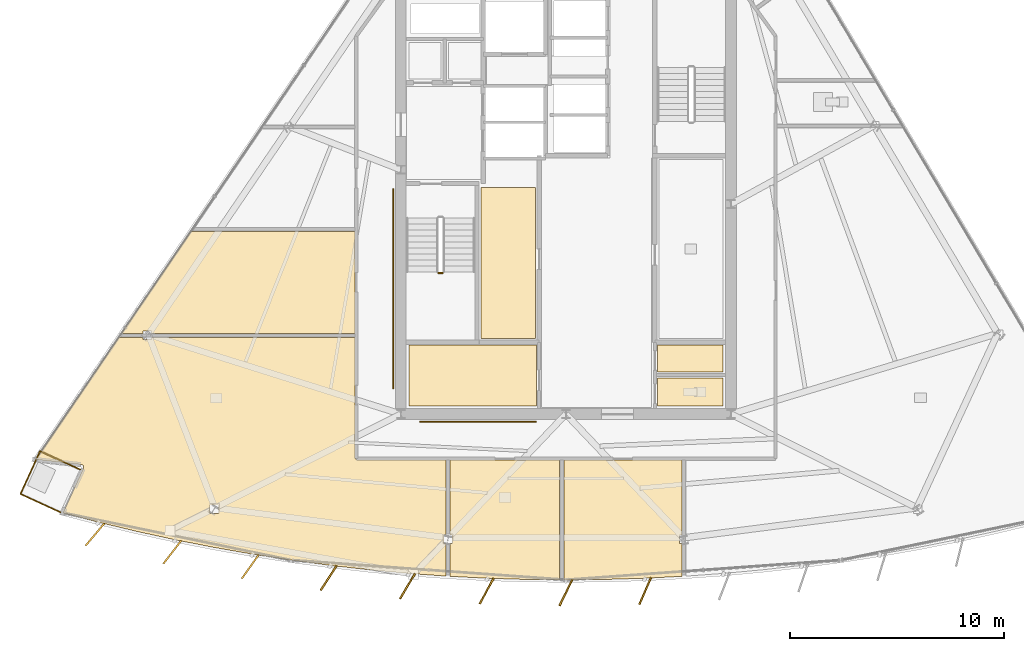
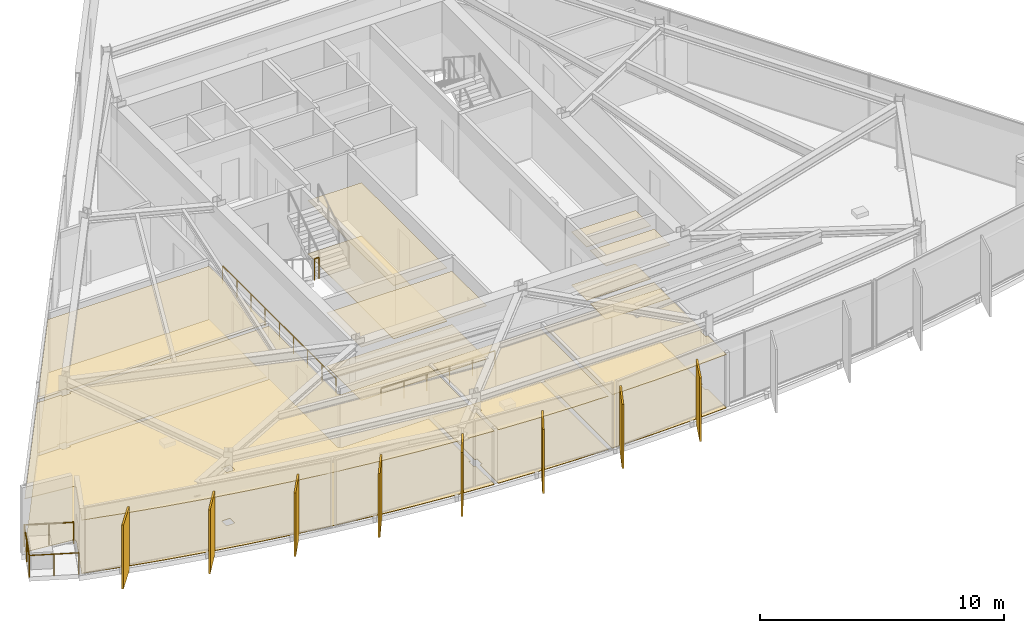
# One storey, part 9 of 13: 16 coverings, 8 shading devices, 6 railings.
"""IFC4 building model written with IfcOpenShell, lengths in metres."""

import ifcopenshell
import ifcopenshell.guid

model = None  # the IFC model being written
_history = None  # IfcOwnerHistory: only IFC2X3 demands one
_inside = {}  # id of a spatial element -> (the spatial element, [elements in it])
_under = {}  # id of a project, library or spatial element -> (it, [spatial elements below it])
_declared = {}  # id of a project -> (the project, [libraries it declares])
_typed = {}  # id of a type object -> (the type object, [elements of that type])
_made_of = {}  # id of a material, layer set ... -> (it, [elements and type objects made of it])


def new_model(schema):
    """Start an empty IFC model of exactly this schema.

    Asked for "IFC4X3", IfcOpenShell would pick the latest addendum, in which some entities
    have other attributes; the version numbers below select the first issue.
    IFC2X3 requires an IfcOwnerHistory on every rooted entity: one is made here for all.
    """
    global model, _history
    if schema == "IFC4X3":
        model = ifcopenshell.file(schema_version=(4, 3, 0, 0))
    else:
        model = ifcopenshell.file(schema=schema)
    _inside.clear()
    _under.clear()
    _declared.clear()
    _typed.clear()
    _made_of.clear()
    _history = None
    if model.schema == "IFC2X3":
        org = make("IfcOrganization", Name="unknown")
        user = make(
            "IfcPersonAndOrganization",
            ThePerson=make("IfcPerson", FamilyName="unknown"),
            TheOrganization=org,
        )
        app = make(
            "IfcApplication",
            ApplicationDeveloper=org,
            Version="unknown",
            ApplicationFullName="unknown",
            ApplicationIdentifier="unknown",
        )
        _history = make(
            "IfcOwnerHistory",
            OwningUser=user,
            OwningApplication=app,
            ChangeAction="ADDED",
            CreationDate=0,
        )
    return model


def make(cls, **values):
    """One entity of the class cls with the attributes given. An attribute that is None is left unset."""
    return model.create_entity(
        cls, **{name: value for name, value in values.items() if value is not None}
    )


def rooted(cls, **values):
    """An entity with a GlobalId (a new one), such as an element, a storey or a relation."""
    return make(cls, GlobalId=ifcopenshell.guid.new(), OwnerHistory=_history, **values)


def si_unit(unit_type, name, prefix=None):
    """IfcSIUnit, for example si_unit("LENGTHUNIT", "METRE", prefix="MILLI")."""
    return make("IfcSIUnit", UnitType=unit_type, Prefix=prefix, Name=name)


def assignment(units):
    """IfcUnitAssignment: the units of a project."""
    return None if units is None else make("IfcUnitAssignment", Units=units)


def point(xyz):
    """IfcCartesianPoint."""
    return None if xyz is None else make("IfcCartesianPoint", Coordinates=xyz)


def direction(xyz):
    """IfcDirection."""
    return None if xyz is None else make("IfcDirection", DirectionRatios=xyz)


def frame(location, z_axis=None, x_axis=None):
    """IfcAxis2Placement3D, a coordinate frame: its origin and axes. An axis left out is left unset."""
    return make(
        "IfcAxis2Placement3D",
        Location=point(location),
        Axis=direction(z_axis),
        RefDirection=direction(x_axis),
    )


def frame_2d(location, x_axis=None):
    """IfcAxis2Placement2D, a coordinate frame in the plane: its origin and x axis."""
    return make(
        "IfcAxis2Placement2D", Location=point(location), RefDirection=direction(x_axis)
    )


def origin():
    """The frame at (0, 0, 0) with its axes left unset."""
    return frame((0.0, 0.0, 0.0))


def origin_2d():
    """The frame at (0, 0) in the plane with its x axis left unset."""
    return frame_2d((0.0, 0.0))


def place(relative_to, where):
    """IfcLocalPlacement: puts the frame where relative to a parent placement (None: the world)."""
    return make(
        "IfcLocalPlacement", PlacementRelTo=relative_to, RelativePlacement=where
    )


def context(
    kind, dimensions, precision=None, world=None, true_north=None, identifier=None
):
    """IfcGeometricRepresentationContext, for example the 3D "Model" context."""
    return make(
        "IfcGeometricRepresentationContext",
        ContextIdentifier=identifier,
        ContextType=kind,
        CoordinateSpaceDimension=dimensions,
        Precision=precision,
        WorldCoordinateSystem=world,
        TrueNorth=true_north,
    )


def subcontext(parent, identifier, kind, view, scale=None):
    """IfcGeometricRepresentationSubContext, for example "Body" below "Model"."""
    return make(
        "IfcGeometricRepresentationSubContext",
        ContextIdentifier=identifier,
        ContextType=kind,
        ParentContext=parent,
        TargetScale=scale,
        TargetView=view,
    )


def project(units=None, contexts=None):
    """IfcProject with its units and contexts."""
    return rooted(
        "IfcProject",
        Name="project",
        RepresentationContexts=contexts,
        UnitsInContext=assignment(units),
    )


def spatial(cls, under=None, at=None, **own):
    """A site, building, storey or space (cls), placed at a placement, below another one or the project."""
    s = rooted(cls, ObjectPlacement=at, **own)
    if under is not None:
        _under.setdefault(under.id(), (under, []))[1].append(s)
    return s


def polyline(points):
    """IfcPolyline through the points."""
    return make("IfcPolyline", Points=[point(p) for p in points])


def profile(cls, at=None, kind="AREA", **sizes):
    """A parametric profile (cls). Its sizes go by their IFC names, for example OverallWidth=200.0."""
    return make(cls, ProfileType=kind, Position=at, **sizes)


def rectangle(**sizes):
    """IfcRectangleProfileDef."""
    return profile("IfcRectangleProfileDef", **sizes)


def circle(**sizes):
    """IfcCircleProfileDef."""
    return profile("IfcCircleProfileDef", **sizes)


def outline(outer, holes=None, kind="AREA"):
    """IfcArbitraryClosedProfileDef: a profile drawn as a closed curve; with holes, ...WithVoids."""
    if holes is None:
        return make("IfcArbitraryClosedProfileDef", ProfileType=kind, OuterCurve=outer)
    return make(
        "IfcArbitraryProfileDefWithVoids",
        ProfileType=kind,
        OuterCurve=outer,
        InnerCurves=holes,
    )


def extrude(swept, where, along, depth):
    """IfcExtrudedAreaSolid: the profile swept, set in the frame where, extruded along a direction by depth."""
    return make(
        "IfcExtrudedAreaSolid",
        SweptArea=swept,
        Position=where,
        ExtrudedDirection=direction(along),
        Depth=depth,
    )


def shape(context_of_items, identifier, shape_type, items):
    """IfcShapeRepresentation: the items that make up one representation, for example the "Body"."""
    return make(
        "IfcShapeRepresentation",
        ContextOfItems=context_of_items,
        RepresentationIdentifier=identifier,
        RepresentationType=shape_type,
        Items=items,
    )


def material(Name=None, Category=None):
    """IfcMaterial."""
    return make("IfcMaterial", Name=Name, Category=Category)


def layer(
    of_material, thickness, ventilated=None, Name=None, Category=None, Priority=None
):
    """IfcMaterialLayer: one layer of a wall or slab, of a material (None: an air gap)."""
    return make(
        "IfcMaterialLayer",
        Material=of_material,
        LayerThickness=thickness,
        IsVentilated=ventilated,
        Name=Name,
        Category=Category,
        Priority=Priority,
    )


def layer_set(layers, Name=None):
    """IfcMaterialLayerSet."""
    return make("IfcMaterialLayerSet", MaterialLayers=layers, LayerSetName=Name)


def made_of(thing, what):
    """Note that an element or type object is made of a material, layer set ...; save() writes the relation."""
    if what is not None:
        _made_of.setdefault(what.id(), (what, []))[1].append(thing)
    return thing


def type_object(cls, material=None, **own):
    """A type object (cls), such as IfcWallType, which elements share."""
    return made_of(rooted(cls, **own), material)


def element(
    cls,
    number,
    at=None,
    inside=None,
    cuts=None,
    type_object=None,
    material=None,
    context=None,
    identifier="Body",
    shape_type=None,
    held_by="IfcProductDefinitionShape",
    body=None,
    shapes=None,
    **own,
):
    """One element of the class cls, such as IfcWall. Its Tag is "e" and its number.

    at: its placement. inside: the storey or other place that contains it. cuts: it is an
    opening in that element (IfcRelVoidsElement). A single representation is given by context,
    identifier, shape_type and body (its items); several are given by shapes. held_by: the class
    of the entity that holds the representations. save() writes the other relations.
    """
    e = rooted(cls, Tag="e%d" % number, ObjectPlacement=at, **own)
    if body is not None:
        shapes = [shape(context, identifier, shape_type, body)]
    if shapes is not None:
        e.Representation = make(held_by, Representations=shapes)
    if inside is not None:
        _inside.setdefault(inside.id(), (inside, []))[1].append(e)
    if cuts is not None:
        rooted(
            "IfcRelVoidsElement", RelatingBuildingElement=cuts, RelatedOpeningElement=e
        )
    if type_object is not None:
        _typed.setdefault(type_object.id(), (type_object, []))[1].append(e)
    return made_of(e, material)


def aggregate(whole, parts):
    """IfcRelAggregates: a whole, such as a stair, and the parts it consists of."""
    return rooted("IfcRelAggregates", RelatingObject=whole, RelatedObjects=parts)


def save(model, path):
    """Write the relations noted so far, then the file.

    IfcRelAggregates (storeys below a building ...), IfcRelContainedInSpatialStructure (elements
    in a storey), IfcRelDefinesByType, IfcRelAssociatesMaterial and IfcRelDeclares: one each for
    every whole, place, type object, material and project.
    """
    for whole, parts in _under.values():
        aggregate(whole, parts)
    for where, things in _inside.values():
        rooted(
            "IfcRelContainedInSpatialStructure",
            RelatedElements=things,
            RelatingStructure=where,
        )
    for kind, things in _typed.values():
        rooted("IfcRelDefinesByType", RelatedObjects=things, RelatingType=kind)
    for what, things in _made_of.values():
        rooted("IfcRelAssociatesMaterial", RelatedObjects=things, RelatingMaterial=what)
    for by, libraries in _declared.values():
        rooted("IfcRelDeclares", RelatingContext=by, RelatedDefinitions=libraries)
    model.write(path)


model = new_model("IFC4")

# Units and contexts
model_context = context("Model", 3, precision=1e-05, world=origin(), true_north=direction((0.0, 1.0)))
body_context = subcontext(model_context, "Body", "Model", "MODEL_VIEW")
ifc_project = project(units=[si_unit("LENGTHUNIT", "METRE"), si_unit("AREAUNIT", "SQUARE_METRE"), si_unit("VOLUMEUNIT", "CUBIC_METRE"), si_unit("PLANEANGLEUNIT", "RADIAN"), si_unit("MASSUNIT", "GRAM", prefix="KILO")], contexts=[model_context])

# Site, building, storey
site_placement = place(None, origin())
site = spatial("IfcSite", under=ifc_project, at=site_placement, CompositionType="ELEMENT")
building_placement = place(site_placement, origin())
building = spatial("IfcBuilding", under=site, at=building_placement, Name="Savorim Split Tower", CompositionType="ELEMENT")
storey_placement = place(building_placement, frame((0.0, 0.0, 223.5)))
storey = spatial("IfcBuildingStorey", under=building, at=storey_placement, Name="L59", CompositionType="ELEMENT", Elevation=223.5)

# Coverings
ifc_material_1 = material(Name="Mineral Fibre Acoustic Ceiling")
ifc_layer_1 = layer(ifc_material_1, 0.02490234375)
ifc_layer_set_1 = layer_set([ifc_layer_1], Name="COV-CEIL-25")
covering_type_1 = type_object("IfcCoveringType", Name="COV-CEIL-25", PredefinedType="CEILING", material=ifc_layer_set_1)
covering_1_placement = place(storey_placement, frame((0.0, 0.0, 2.669921875)))
element("IfcCovering", 1, at=covering_1_placement, inside=storey, type_object=covering_type_1, Name="L59 Quiet Study Room Acoustic Ceiling", PredefinedType="CEILING", context=body_context, shape_type="SweptSolid", body=[
    extrude(outline(polyline([(-3.969970703125, 1.169921875), (-3.969970703125, -5.8701171875), (-1.429931640625, -5.8701171875), (-1.429931640625, 1.169921875), (-3.969970703125, 1.169921875)])), origin(), (0.0, 0.0, 1.0), 0.025146484375),
])
covering_2_placement = place(storey_placement, frame((0.0, 0.0, 2.669921875)))
element("IfcCovering", 2, at=covering_2_placement, inside=storey, type_object=covering_type_1, Name="L59 Housekeeping Store Acoustic Ceiling", PredefinedType="CEILING", context=body_context, shape_type="SweptSolid", body=[
    extrude(outline(polyline([(-7.320068359375, -6.179931640625), (-7.320068359375, -9.02001953125), (-1.3798828125, -9.02001953125), (-1.3798828125, -6.179931640625), (-7.320068359375, -6.179931640625)])), origin(), (0.0, 0.0, 1.0), 0.025146484375),
])
covering_3_placement = place(storey_placement, frame((0.0, 0.0, 2.669921875)))
element("IfcCovering", 3, at=covering_3_placement, inside=storey, type_object=covering_type_1, Name="L59 Accessible WC Acoustic Ceiling", PredefinedType="CEILING", context=body_context, shape_type="SweptSolid", body=[
    extrude(outline(polyline([(4.280029296875, -7.719970703125), (4.280029296875, -9.02001953125), (7.320068359375, -9.02001953125), (7.320068359375, -7.719970703125), (4.280029296875, -7.719970703125)])), origin(), (0.0, 0.0, 1.0), 0.025146484375),
])
covering_4_placement = place(storey_placement, frame((0.0, 0.0, 2.669921875)))
element("IfcCovering", 4, at=covering_4_placement, inside=storey, type_object=covering_type_1, Name="L59 Cleaning Store Acoustic Ceiling", PredefinedType="CEILING", context=body_context, shape_type="SweptSolid", body=[
    extrude(outline(polyline([(4.280029296875, -6.179931640625), (4.280029296875, -7.43994140625), (7.320068359375, -7.43994140625), (7.320068359375, -6.179931640625), (4.280029296875, -6.179931640625)])), origin(), (0.0, 0.0, 1.0), 0.025146484375),
])
covering_5_placement = place(storey_placement, frame((0.0, 0.0, 2.669921875)))
element("IfcCovering", 5, at=covering_5_placement, inside=storey, type_object=covering_type_1, Name="L59 Quiet Study Room Acoustic Ceiling", PredefinedType="CEILING", context=body_context, shape_type="SweptSolid", body=[
    extrude(outline(polyline([(-19.32470703125, -5.532958984375), (-19.32470703125, -5.634033203125), (-9.840087890625, -5.634033203125), (-9.840087890625, -0.876220703125), (-17.489013671875, -0.876220703125), (-20.7255859375, -5.634033203125), (-19.71875, -5.634033203125), (-19.71875, -5.532958984375), (-19.32470703125, -5.532958984375)])), origin(), (0.0, 0.0, 1.0), 0.025146484375),
])
covering_6_placement = place(storey_placement, frame((0.0, 0.0, 2.669921875)))
element("IfcCovering", 6, at=covering_6_placement, inside=storey, type_object=covering_type_1, Name="L59 Community Laundry Room Acoustic Ceiling", PredefinedType="CEILING", context=body_context, shape_type="SweptSolid", body=[
    extrude(outline(polyline([(-22.490478515625, -11.878662109375), (-22.491455078125, -11.890625), (-22.49365234375, -11.90234375), (-22.496826171875, -11.913818359375), (-22.50146484375, -11.9248046875), (-23.4599609375, -14.01123046875), (-21.8203125, -14.440185546875), (-20.0341796875, -14.868408203125), (-18.23974609375, -15.260009765625), (-16.4375, -15.61474609375), (-14.62841796875, -15.9326171875), (-12.8134765625, -16.21337890625), (-10.992919921875, -16.45703125), (-9.167724609375, -16.663330078125), (-7.3388671875, -16.832275390625), (-5.59521484375, -16.95751953125), (-5.59521484375, -15.43115234375), (-5.697265625, -15.43115234375), (-5.697265625, -15.0390625), (-5.59521484375, -15.0390625), (-5.59521484375, -11.5400390625), (-9.699951171875, -11.5400390625), (-9.713623046875, -11.539306640625), (-9.727294921875, -11.537353515625), (-9.740478515625, -11.533935546875), (-9.753662109375, -11.529296875), (-9.76611328125, -11.5234375), (-9.77783203125, -11.516357421875), (-9.788818359375, -11.50830078125), (-9.799072265625, -11.4990234375), (-9.80810546875, -11.48876953125), (-9.81640625, -11.477783203125), (-9.823486328125, -11.466064453125), (-9.829345703125, -11.45361328125), (-9.833984375, -11.440673828125), (-9.83740234375, -11.42724609375), (-9.83935546875, -11.413818359375), (-9.840087890625, -11.39990234375), (-9.840087890625, -5.823974609375), (-19.32470703125, -5.823974609375), (-19.32470703125, -5.925048828125), (-19.71875, -5.925048828125), (-19.71875, -5.823974609375), (-20.729736328125, -5.823974609375), (-20.82470703125, -5.823974609375), (-20.82470703125, -5.77978515625), (-24.72802734375, -11.517578125), (-22.59716796875, -11.755615234375), (-22.585205078125, -11.757568359375), (-22.57373046875, -11.760498046875), (-22.5625, -11.7646484375), (-22.552001953125, -11.77001953125), (-22.541748046875, -11.7763671875), (-22.5322265625, -11.78369140625), (-22.523681640625, -11.7919921875), (-22.515869140625, -11.80078125), (-22.509033203125, -11.810546875), (-22.503173828125, -11.821044921875), (-22.498291015625, -11.831787109375), (-22.49462890625, -11.84326171875), (-22.4921875, -11.85498046875), (-22.49072265625, -11.86669921875), (-22.490478515625, -11.878662109375)]), holes=[polyline([(-16.60791015625, -14.0302734375), (-16.2138671875, -14.0302734375), (-16.2138671875, -13.63818359375), (-16.60791015625, -13.63818359375), (-16.60791015625, -14.0302734375)])]), origin(), (0.0, 0.0, 1.0), 0.025146484375),
])
covering_7_placement = place(storey_placement, frame((0.0, 0.0, 2.669921875)))
element("IfcCovering", 7, at=covering_7_placement, inside=storey, type_object=covering_type_1, Name="L59 Shared Kitchen Acoustic Ceiling", PredefinedType="CEILING", context=body_context, shape_type="SweptSolid", body=[
    extrude(outline(polyline([(-5.4052734375, -16.968994140625), (-3.672607421875, -17.0576171875), (-1.836669921875, -17.114013671875), (-0.2900390625, -17.1298828125), (-0.2900390625, -11.5400390625), (-5.4052734375, -11.5400390625), (-5.4052734375, -15.0390625), (-5.30322265625, -15.0390625), (-5.30322265625, -15.43115234375), (-5.4052734375, -15.43115234375), (-5.4052734375, -16.9140625), (-5.4052734375, -16.968994140625)])), origin(), (0.0, 0.0, 1.0), 0.025146484375),
])
covering_8_placement = place(storey_placement, frame((0.0, 0.0, 2.669921875)))
element("IfcCovering", 8, at=covering_8_placement, inside=storey, type_object=covering_type_1, Name="L59 Maker Workshop Acoustic Ceiling", PredefinedType="CEILING", context=body_context, shape_type="SweptSolid", body=[
    extrude(outline(polyline([(-0.10009765625, -17.1318359375), (0.0, -17.1328125), (1.836669921875, -17.114013671875), (3.672607421875, -17.0576171875), (5.4052734375, -16.968994140625), (5.4052734375, -15.43115234375), (5.30322265625, -15.43115234375), (5.30322265625, -15.0390625), (5.4052734375, -15.0390625), (5.4052734375, -11.5400390625), (-0.10009765625, -11.5400390625), (-0.10009765625, -17.1318359375)])), origin(), (0.0, 0.0, 1.0), 0.025146484375),
])
ifc_material_2 = material(Name="Porcelain Stoneware Flooring", Category="masonry")
ifc_layer_2 = layer(ifc_material_2, 0.02001953125)
ifc_layer_set_2 = layer_set([ifc_layer_2], Name="COV-FLOR-20")
covering_type_2 = type_object("IfcCoveringType", Name="COV-FLOR-20", PredefinedType="FLOORING", material=ifc_layer_set_2)
covering_9_placement = place(storey_placement, origin())
element("IfcCovering", 9, at=covering_9_placement, inside=storey, type_object=covering_type_2, Name="L59 Quiet Study Room Porcelain Flooring", PredefinedType="FLOORING", context=body_context, shape_type="SweptSolid", body=[
    extrude(outline(polyline([(-3.969970703125, 1.169921875), (-3.969970703125, -5.8701171875), (-1.429931640625, -5.8701171875), (-1.429931640625, 1.169921875), (-3.969970703125, 1.169921875)])), origin(), (0.0, 0.0, 1.0), 0.02001953125),
])
covering_10_placement = place(storey_placement, origin())
element("IfcCovering", 10, at=covering_10_placement, inside=storey, type_object=covering_type_2, Name="L59 Housekeeping Store Porcelain Flooring", PredefinedType="FLOORING", context=body_context, shape_type="SweptSolid", body=[
    extrude(outline(polyline([(-7.320068359375, -6.179931640625), (-7.320068359375, -9.02001953125), (-1.3798828125, -9.02001953125), (-1.3798828125, -6.179931640625), (-7.320068359375, -6.179931640625)])), origin(), (0.0, 0.0, 1.0), 0.02001953125),
])
covering_11_placement = place(storey_placement, origin())
element("IfcCovering", 11, at=covering_11_placement, inside=storey, type_object=covering_type_2, Name="L59 Accessible WC Porcelain Flooring", PredefinedType="FLOORING", context=body_context, shape_type="SweptSolid", body=[
    extrude(outline(polyline([(4.280029296875, -7.719970703125), (4.280029296875, -9.02001953125), (7.320068359375, -9.02001953125), (7.320068359375, -7.719970703125), (4.280029296875, -7.719970703125)])), origin(), (0.0, 0.0, 1.0), 0.02001953125),
])
covering_12_placement = place(storey_placement, origin())
element("IfcCovering", 12, at=covering_12_placement, inside=storey, type_object=covering_type_2, Name="L59 Cleaning Store Porcelain Flooring", PredefinedType="FLOORING", context=body_context, shape_type="SweptSolid", body=[
    extrude(outline(polyline([(4.280029296875, -6.179931640625), (4.280029296875, -7.43994140625), (7.320068359375, -7.43994140625), (7.320068359375, -6.179931640625), (4.280029296875, -6.179931640625)])), origin(), (0.0, 0.0, 1.0), 0.02001953125),
])
covering_13_placement = place(storey_placement, origin())
element("IfcCovering", 13, at=covering_13_placement, inside=storey, type_object=covering_type_2, Name="L59 Quiet Study Room Porcelain Flooring", PredefinedType="FLOORING", context=body_context, shape_type="SweptSolid", body=[
    extrude(outline(polyline([(-19.32470703125, -5.532958984375), (-19.32470703125, -5.634033203125), (-9.840087890625, -5.634033203125), (-9.840087890625, -0.876220703125), (-17.489013671875, -0.876220703125), (-20.7255859375, -5.634033203125), (-19.71875, -5.634033203125), (-19.71875, -5.532958984375), (-19.32470703125, -5.532958984375)])), origin(), (0.0, 0.0, 1.0), 0.02001953125),
])
covering_14_placement = place(storey_placement, origin())
element("IfcCovering", 14, at=covering_14_placement, inside=storey, type_object=covering_type_2, Name="L59 Community Laundry Room Porcelain Flooring", PredefinedType="FLOORING", context=body_context, shape_type="SweptSolid", body=[
    extrude(outline(polyline([(-22.490478515625, -11.878662109375), (-22.491455078125, -11.890625), (-22.49365234375, -11.90234375), (-22.496826171875, -11.913818359375), (-22.50146484375, -11.9248046875), (-23.4599609375, -14.01123046875), (-21.8203125, -14.440185546875), (-20.0341796875, -14.868408203125), (-18.23974609375, -15.260009765625), (-16.4375, -15.61474609375), (-14.62841796875, -15.9326171875), (-12.8134765625, -16.21337890625), (-10.992919921875, -16.45703125), (-9.167724609375, -16.663330078125), (-7.3388671875, -16.832275390625), (-5.59521484375, -16.95751953125), (-5.59521484375, -15.43115234375), (-5.697265625, -15.43115234375), (-5.697265625, -15.0390625), (-5.59521484375, -15.0390625), (-5.59521484375, -11.5400390625), (-9.699951171875, -11.5400390625), (-9.713623046875, -11.539306640625), (-9.727294921875, -11.537353515625), (-9.740478515625, -11.533935546875), (-9.753662109375, -11.529296875), (-9.76611328125, -11.5234375), (-9.77783203125, -11.516357421875), (-9.788818359375, -11.50830078125), (-9.799072265625, -11.4990234375), (-9.80810546875, -11.48876953125), (-9.81640625, -11.477783203125), (-9.823486328125, -11.466064453125), (-9.829345703125, -11.45361328125), (-9.833984375, -11.440673828125), (-9.83740234375, -11.42724609375), (-9.83935546875, -11.413818359375), (-9.840087890625, -11.39990234375), (-9.840087890625, -5.823974609375), (-19.32470703125, -5.823974609375), (-19.32470703125, -5.925048828125), (-19.71875, -5.925048828125), (-19.71875, -5.823974609375), (-20.729736328125, -5.823974609375), (-20.82470703125, -5.823974609375), (-20.82470703125, -5.77978515625), (-24.72802734375, -11.517578125), (-22.59716796875, -11.755615234375), (-22.585205078125, -11.757568359375), (-22.57373046875, -11.760498046875), (-22.5625, -11.7646484375), (-22.552001953125, -11.77001953125), (-22.541748046875, -11.7763671875), (-22.5322265625, -11.78369140625), (-22.523681640625, -11.7919921875), (-22.515869140625, -11.80078125), (-22.509033203125, -11.810546875), (-22.503173828125, -11.821044921875), (-22.498291015625, -11.831787109375), (-22.49462890625, -11.84326171875), (-22.4921875, -11.85498046875), (-22.49072265625, -11.86669921875), (-22.490478515625, -11.878662109375)]), holes=[polyline([(-16.60791015625, -14.0302734375), (-16.2138671875, -14.0302734375), (-16.2138671875, -13.63818359375), (-16.60791015625, -13.63818359375), (-16.60791015625, -14.0302734375)])]), origin(), (0.0, 0.0, 1.0), 0.02001953125),
])
covering_15_placement = place(storey_placement, origin())
element("IfcCovering", 15, at=covering_15_placement, inside=storey, type_object=covering_type_2, Name="L59 Shared Kitchen Porcelain Flooring", PredefinedType="FLOORING", context=body_context, shape_type="SweptSolid", body=[
    extrude(outline(polyline([(-5.4052734375, -16.968994140625), (-3.672607421875, -17.0576171875), (-1.836669921875, -17.114013671875), (-0.2900390625, -17.1298828125), (-0.2900390625, -11.5400390625), (-5.4052734375, -11.5400390625), (-5.4052734375, -15.0390625), (-5.30322265625, -15.0390625), (-5.30322265625, -15.43115234375), (-5.4052734375, -15.43115234375), (-5.4052734375, -16.9140625), (-5.4052734375, -16.968994140625)])), origin(), (0.0, 0.0, 1.0), 0.02001953125),
])
covering_16_placement = place(storey_placement, origin())
element("IfcCovering", 16, at=covering_16_placement, inside=storey, type_object=covering_type_2, Name="L59 Maker Workshop Porcelain Flooring", PredefinedType="FLOORING", context=body_context, shape_type="SweptSolid", body=[
    extrude(outline(polyline([(-0.10009765625, -17.1318359375), (0.0, -17.1328125), (1.836669921875, -17.114013671875), (3.672607421875, -17.0576171875), (5.4052734375, -16.968994140625), (5.4052734375, -15.43115234375), (5.30322265625, -15.43115234375), (5.30322265625, -15.0390625), (5.4052734375, -15.0390625), (5.4052734375, -11.5400390625), (-0.10009765625, -11.5400390625), (-0.10009765625, -17.1318359375)])), origin(), (0.0, 0.0, 1.0), 0.02001953125),
])

# Railings
ifc_material_3 = material(Name="Galvanised Painted Steel Balustrade", Category="steel")
railing_type_1 = type_object("IfcRailingType", Name="RLG-BAL-1100", PredefinedType="BALUSTRADE", material=ifc_material_3)
railing_1_placement = place(storey_placement, frame((-23.57861328125, -13.982177734375, 0.0)))
element("IfcRailing", 17, at=railing_1_placement, inside=storey, type_object=railing_type_1, Name="L59 Tree Balcony Guardrail SW-1", PredefinedType="BALUSTRADE", context=body_context, shape_type="SweptSolid", body=[
    extrude(circle(Radius=0.02392578125, at=origin_2d()), frame((0.0, 0.0, 1.076171875), z_axis=(-0.908662190505, 0.417532062898, 0.0), x_axis=(-0.417532062898, -0.908662190505, 0.0)), (0.0, 0.0, 1.0), 2.050048828125),
    extrude(circle(Radius=0.02099609375, at=origin_2d()), origin(), (0.0, 0.0, 1.0), 1.052001953125),
    extrude(circle(Radius=0.02099609375, at=origin_2d()), frame((-0.931396484375, 0.427978515625, 0.0)), (0.0, 0.0, 1.0), 1.052001953125),
    extrude(circle(Radius=0.02099609375, at=origin_2d()), frame((-1.86279296875, 0.85595703125, 0.0)), (0.0, 0.0, 1.0), 1.052001953125),
])
railing_2_placement = place(storey_placement, frame((-25.44140625, -13.126220703125, 0.0)))
element("IfcRailing", 18, at=railing_2_placement, inside=storey, type_object=railing_type_1, Name="L59 Tree Balcony Guardrail SW-2", PredefinedType="BALUSTRADE", context=body_context, shape_type="SweptSolid", body=[
    extrude(circle(Radius=0.02392578125, at=origin_2d()), frame((0.0, 0.0, 1.076171875), z_axis=(0.417529900491, 0.908663184132, 0.0), x_axis=(-0.908663184132, 0.417529900491, 0.0)), (0.0, 0.0, 1.0), 2.19921875),
    extrude(circle(Radius=0.02099609375, at=origin_2d()), origin(), (0.0, 0.0, 1.0), 1.052001953125),
    extrude(circle(Radius=0.02099609375, at=origin_2d()), frame((0.458984375, 0.9990234375, 0.0)), (0.0, 0.0, 1.0), 1.052001953125),
    extrude(circle(Radius=0.02099609375, at=origin_2d()), frame((0.918212890625, 1.998291015625, 0.0)), (0.0, 0.0, 1.0), 1.052001953125),
])
railing_3_placement = place(storey_placement, frame((-24.523193359375, -11.1279296875, 0.0)))
element("IfcRailing", 19, at=railing_3_placement, inside=storey, type_object=railing_type_1, Name="L59 Tree Balcony Guardrail SW-3", PredefinedType="BALUSTRADE", context=body_context, shape_type="SweptSolid", body=[
    extrude(circle(Radius=0.02392578125, at=origin_2d()), frame((0.0, 0.0, 1.076171875), z_axis=(0.908662190505, -0.417532062898, 0.0), x_axis=(0.417532062898, 0.908662190505, 0.0)), (0.0, 0.0, 1.0), 2.050048828125),
    extrude(circle(Radius=0.02099609375, at=origin_2d()), origin(), (0.0, 0.0, 1.0), 1.052001953125),
    extrude(circle(Radius=0.02099609375, at=origin_2d()), frame((0.931396484375, -0.427978515625, 0.0)), (0.0, 0.0, 1.0), 1.052001953125),
    extrude(circle(Radius=0.02099609375, at=origin_2d()), frame((1.86279296875, -0.85595703125, 0.0)), (0.0, 0.0, 1.0), 1.052001953125),
])
railing_type_2 = type_object("IfcRailingType", Name="RLG-HR-900", PredefinedType="HANDRAIL", material=ifc_material_3)
railing_4_placement = place(storey_placement, frame((-6.800048828125, -9.75, 0.0)))
element("IfcRailing", 20, at=railing_4_placement, inside=storey, type_object=railing_type_2, Name="L59 Corridor South Accessible Handrail", PredefinedType="HANDRAIL", context=body_context, shape_type="SweptSolid", body=[
    extrude(circle(Radius=0.02392578125, at=origin_2d()), frame((0.0, 0.0, 0.8759765625), z_axis=(1.0, 0.0, 0.0), x_axis=(0.0, 1.0, 0.0)), (0.0, 0.0, 1.0), 5.400146484375),
    extrude(circle(Radius=0.02099609375, at=origin_2d()), origin(), (0.0, 0.0, 1.0), 0.851806640625),
    extrude(circle(Radius=0.02099609375, at=origin_2d()), frame((1.080078125, 0.0, 0.0)), (0.0, 0.0, 1.0), 0.851806640625),
    extrude(circle(Radius=0.02099609375, at=origin_2d()), frame((2.16015625, 0.0, 0.0)), (0.0, 0.0, 1.0), 0.851806640625),
    extrude(circle(Radius=0.02099609375, at=origin_2d()), frame((3.239990234375, 0.0, 0.0)), (0.0, 0.0, 1.0), 0.851806640625),
    extrude(circle(Radius=0.02099609375, at=origin_2d()), frame((4.320068359375, 0.0, 0.0)), (0.0, 0.0, 1.0), 0.851806640625),
    extrude(circle(Radius=0.02099609375, at=origin_2d()), frame((5.400146484375, 0.0, 0.0)), (0.0, 0.0, 1.0), 0.851806640625),
])
railing_5_placement = place(storey_placement, frame((-8.050048828125, -8.199951171875, 0.0)))
element("IfcRailing", 21, at=railing_5_placement, inside=storey, type_object=railing_type_2, Name="L59 Corridor West Accessible Handrail", PredefinedType="HANDRAIL", context=body_context, shape_type="SweptSolid", body=[
    extrude(circle(Radius=0.02392578125, at=origin_2d()), frame((0.0, 0.0, 0.8759765625), z_axis=(0.0, 1.0, 0.0), x_axis=(-1.0, 0.0, 0.0)), (0.0, 0.0, 1.0), 9.300048828125),
    extrude(circle(Radius=0.02099609375, at=origin_2d()), origin(), (0.0, 0.0, 1.0), 0.851806640625),
    extrude(circle(Radius=0.02099609375, at=origin_2d()), frame((0.0, 1.16259765625, 0.0)), (0.0, 0.0, 1.0), 0.851806640625),
    extrude(circle(Radius=0.02099609375, at=origin_2d()), frame((0.0, 2.324951171875, 0.0)), (0.0, 0.0, 1.0), 0.851806640625),
    extrude(circle(Radius=0.02099609375, at=origin_2d()), frame((0.0, 3.487548828125, 0.0)), (0.0, 0.0, 1.0), 0.851806640625),
    extrude(circle(Radius=0.02099609375, at=origin_2d()), frame((0.0, 4.64990234375, 0.0)), (0.0, 0.0, 1.0), 0.851806640625),
    extrude(circle(Radius=0.02099609375, at=origin_2d()), frame((0.0, 5.8125, 0.0)), (0.0, 0.0, 1.0), 0.851806640625),
    extrude(circle(Radius=0.02099609375, at=origin_2d()), frame((0.0, 6.97509765625, 0.0)), (0.0, 0.0, 1.0), 0.851806640625),
    extrude(circle(Radius=0.02099609375, at=origin_2d()), frame((0.0, 8.137451171875, 0.0)), (0.0, 0.0, 1.0), 0.851806640625),
    extrude(circle(Radius=0.02099609375, at=origin_2d()), frame((0.0, 9.300048828125, 0.0)), (0.0, 0.0, 1.0), 0.851806640625),
])
railing_type_3 = type_object("IfcRailingType", Name="RLG-STG-1100", PredefinedType="BALUSTRADE", material=ifc_material_3)
railing_6_placement = place(storey_placement, frame((-5.949951171875, -2.820068359375, 1.800048828125)))
element("IfcRailing", 22, at=railing_6_placement, inside=storey, type_object=railing_type_3, Name="L59 ST-1 stair guard 2", PredefinedType="BALUSTRADE", context=body_context, shape_type="SweptSolid", body=[
    extrude(circle(Radius=0.02392578125, at=origin_2d()), frame((0.0, 0.0, 1.076171875), z_axis=(1.0, 0.0, 0.0), x_axis=(0.0, 1.0, 0.0)), (0.0, 0.0, 1.0), 0.199951171875),
    extrude(circle(Radius=0.02099609375, at=origin_2d()), origin(), (0.0, 0.0, 1.0), 1.052001953125),
    extrude(circle(Radius=0.02099609375, at=origin_2d()), frame((0.199951171875, 0.0, 0.0)), (0.0, 0.0, 1.0), 1.052001953125),
])

# Shading devices
ifc_material_4 = material(Name="Terracotta Ceramic-Coated Aluminium Fin", Category="masonry")
shading_device_type = type_object("IfcShadingDeviceType", Name="SHD-FIN-1360", PredefinedType="USERDEFINED", material=ifc_material_4)
for number, where, z_axis, x_axis, name in (
    (23, (-21.965087890625, -15.018310546875, -0.2001953125), (0.0, 0.0, 1.0), (-0.643719022682, -0.765261928909, 0.0), "L59 Sawtooth Shading Fin 01"),
    (24, (-18.36083984375, -15.843505859375, -0.2001953125), (0.0, 0.0, 1.0), (-0.611868076908, -0.790959832394, 0.0), "L59 Sawtooth Shading Fin 02"),
    (25, (-14.7255859375, -16.520751953125, -0.2001953125), (0.0, 0.0, 1.0), (-0.578993757737, -0.815331974414, 0.0), "L59 Sawtooth Shading Fin 03"),
    (26, (-11.06591796875, -17.048583984375, -0.2001953125), (0.0, 0.0, 1.0), (-0.545148321708, -0.838339613366, 0.0), "L59 Sawtooth Shading Fin 04"),
    (27, (-7.3876953125, -17.42626953125, -0.2001953125), (0.0, 0.0, 1.0), (-0.510391336723, -0.859942255851, 0.0), "L59 Sawtooth Shading Fin 05"),
    (28, (-3.697021484375, -17.653076171875, -0.2001953125), (0.0, 0.0, 1.0), (-0.474778051978, -0.880105562623, 0.0), "L59 Sawtooth Shading Fin 06"),
    (29, (0.0, -17.728759765625, -0.2001953125), (0.0, 0.0, 1.0), (-0.438371146789, -0.898794046299, 0.0), "L59 Sawtooth Shading Fin 07"),
    (30, (3.697021484375, -17.653076171875, -0.2001953125), (0.0, 0.0, 1.0), (-0.401230091723, -0.915977299662, 0.0), "L59 Sawtooth Shading Fin 08"),
):
    element("IfcShadingDevice", number, at=place(storey_placement, frame(where, z_axis=z_axis, x_axis=x_axis)), inside=storey, type_object=shading_device_type, Name=name, ObjectType="FIN", PredefinedType="USERDEFINED", context=body_context, shape_type="SweptSolid", body=[
        extrude(rectangle(XDim=1.360107421875, YDim=0.080078125, at=origin_2d()), origin(), (0.0, 0.0, 1.0), 3.199951171875),
    ])

save(model, "model.ifc")
